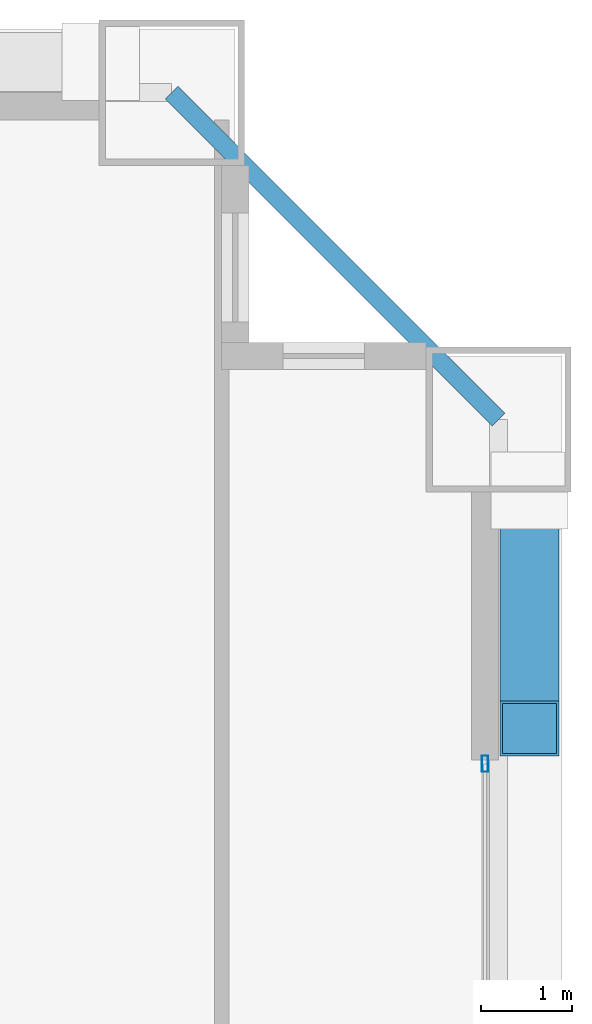
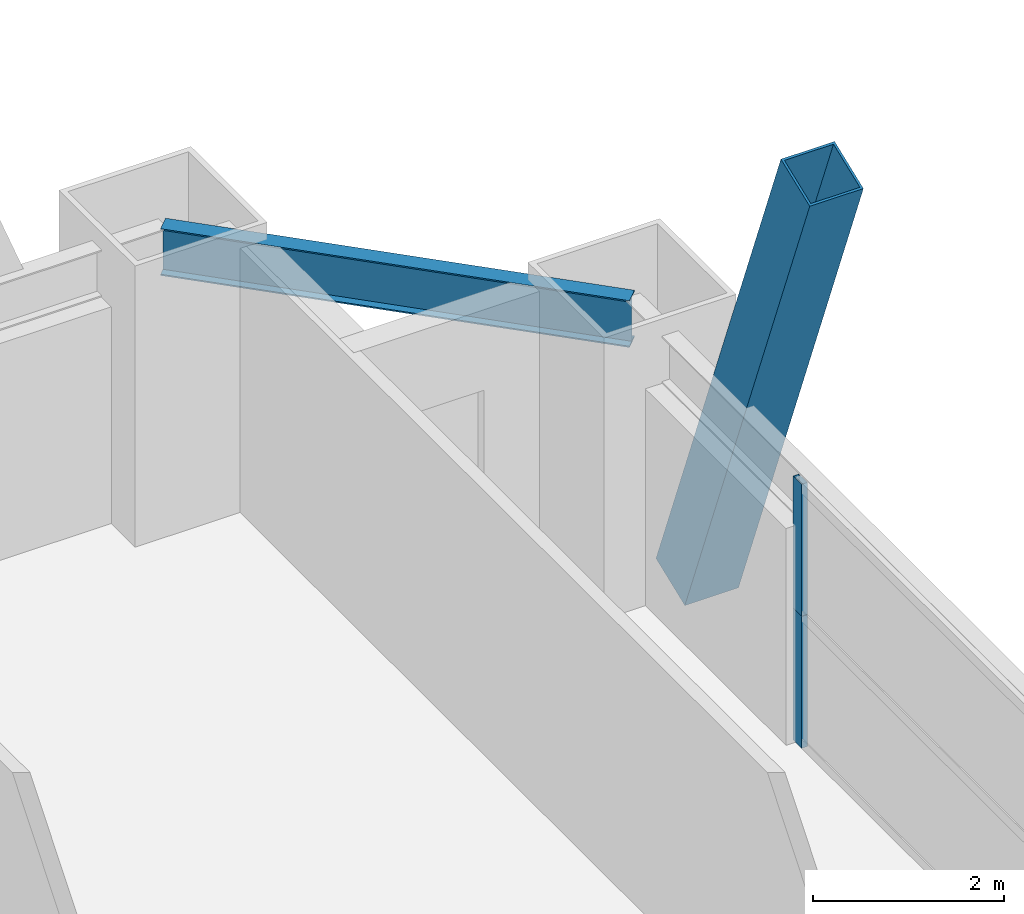
# One storey, part 32 of 41: 3 members, 1 beam, 1 element without a shape of its own.
"""IFC4 building model written with IfcOpenShell, lengths in metres."""

from ifc_helpers import new_model, si_unit, direction, frame, origin, origin_2d, place, context, subcontext, project, spatial, hollow_rectangle, i_section, extrude, source, transform, mapped, material, layer, layer_set, material_profile, profile_set, type_object, element, aggregate, save


model = new_model("IFC4")

# Units and contexts
model_context = context("Model", 3, precision=1e-05, world=origin(), true_north=direction((0.0, 1.0)))
body_context = subcontext(model_context, "Body", "Model", "MODEL_VIEW")
ifc_project = project(units=[si_unit("LENGTHUNIT", "METRE"), si_unit("AREAUNIT", "SQUARE_METRE"), si_unit("VOLUMEUNIT", "CUBIC_METRE"), si_unit("PLANEANGLEUNIT", "RADIAN"), si_unit("MASSUNIT", "GRAM", prefix="KILO"), si_unit("THERMODYNAMICTEMPERATUREUNIT", "KELVIN"), si_unit("POWERUNIT", "WATT")], contexts=[model_context])

# Site, building, storey
site_placement = place(None, origin())
site = spatial("IfcSite", under=ifc_project, at=site_placement, CompositionType="ELEMENT")
building_placement = place(site_placement, origin())
building = spatial("IfcBuilding", under=site, at=building_placement, Name="Yuzanri Waterfront Tower", CompositionType="ELEMENT")
storey_placement = place(building_placement, frame((0.0, 0.0, 122.60009765625)))
storey = spatial("IfcBuildingStorey", under=building, at=storey_placement, Name="L32", CompositionType="ELEMENT", Elevation=122.60009765625)

# Beam
ifc_material_1 = material(Name="Steel Q355B", Category="steel")
ifc_material_profile_1 = material_profile(ifc_material_1, i_section(OverallWidth=0.199951171875, OverallDepth=0.60009765625, WebThickness=0.010986328125, FlangeThickness=0.01708984375, at=origin_2d()), Name="HN 600x200x11x17")
ifc_profile_set_1 = profile_set([ifc_material_profile_1], Name="Steel Q355B")
beam_type = type_object("IfcBeamType", Name="Perimeter Spandrel Q355B HN 600x200", PredefinedType="SPANDREL", material=ifc_profile_set_1)
shared_shape_1 = source(origin(), body_context, "Body", "SweptSolid", [
    extrude(i_section(OverallWidth=0.199951171875, OverallDepth=0.60009765625, WebThickness=0.010986328125, FlangeThickness=0.01708984375, at=origin_2d()), origin(), (0.0, 0.0, 1.0), 5.091064453125),
])
beam_placement = place(storey_placement, frame((60.60009765625, 45.800048828125, 3.079833984375), z_axis=(-0.707130757816, 0.707082803744, 0.0), x_axis=(-0.707082803744, -0.707130757816, 0.0)))
element("IfcBeam", 1, at=beam_placement, inside=storey, type_object=beam_type, Name="L32 Perimeter Spandrel E3-N3", PredefinedType="SPANDREL", context=body_context, shape_type="MappedRepresentation", body=[
    mapped(shared_shape_1, transform((0.0, 0.0, 0.0), scale=1.0)),
])

# Member
ifc_material_2 = material(Name="Steel Q420GJC", Category="steel")
ifc_material_profile_2 = material_profile(ifc_material_2, hollow_rectangle(XDim=0.64990234375, YDim=0.64990234375, WallThickness=0.028076171875, at=origin_2d()), Name="RHS 650x650x28")
ifc_profile_set_2 = profile_set([ifc_material_profile_2], Name="Steel Q420GJC")
member_type_1 = type_object("IfcMemberType", Name="Mega Brace Lower Q420GJC RHS 650x650x28", PredefinedType="BRACE", material=ifc_profile_set_2)
shared_shape_2 = source(origin(), body_context, "Body", "SweptSolid", [
    extrude(hollow_rectangle(XDim=0.64990234375, YDim=0.64990234375, WallThickness=0.028076171875, at=origin_2d()), origin(), (0.0, 0.0, 1.0), 7.194091796875),
])
member_1_placement = place(storey_placement, frame((60.93994140625, 45.02001953125, 0.179931640625), z_axis=(0.0, -0.36420612543, 0.931318365651), x_axis=(1.0, 0.0, 0.0)))
element("IfcMember", 2, at=member_1_placement, inside=storey, type_object=member_type_1, Name="L32-L33 Perimeter Mega-Brace E-R", PredefinedType="BRACE", context=body_context, shape_type="MappedRepresentation", body=[
    mapped(shared_shape_2, transform((0.0, 0.0, 0.0), scale=1.0)),
])

# Curtain wall, members
ifc_material_3 = material(Name="Anodized Architectural Bronze", Category="metal")
ifc_layer = layer(ifc_material_3, 0.159912109375)
ifc_layer_set = layer_set([ifc_layer], Name="Anodized Architectural Bronze")
curtain_wall_type = type_object("IfcCurtainWallType", Name="Anodized Bronze Hotel Upper-Tier Solar-Control Unitized Curtain Wall 7800", PredefinedType="NOTDEFINED", material=ifc_layer_set)
curtain_wall_placement = place(storey_placement, origin())
curtain_wall = element("IfcCurtainWall", 3, at=curtain_wall_placement, inside=storey, type_object=curtain_wall_type, Name="L32 Curtain Wall CW-L32-ER", PredefinedType="NOTDEFINED")
ifc_material_4 = material(Name="Anodized Architectural Bronze", Category="metal")
ifc_material_profile_3 = material_profile(ifc_material_4, hollow_rectangle(XDim=0.070068359375, YDim=0.179931640625, WallThickness=0.00390625, at=origin_2d()), Name="CWM 70x180")
ifc_profile_set_3 = profile_set([ifc_material_profile_3], Name="Anodized Architectural Bronze")
member_type_2 = type_object("IfcMemberType", Name="Anodized Bronze Standard Curtain-Wall Mullion 70x180", PredefinedType="MULLION", material=ifc_profile_set_3)
shared_shape_3 = source(origin(), body_context, "Body", "SweptSolid", [
    extrude(hollow_rectangle(XDim=0.070068359375, YDim=0.179931640625, WallThickness=0.00390625, at=origin_2d()), origin(), (0.0, 0.0, 1.0), 1.68798828125),
])
member_2_placement = place(storey_placement, frame((60.449951171875, 42.010009765625, 0.0), z_axis=(0.0, 0.0, 1.0), x_axis=(1.0, 0.0, 0.0)))
member_2 = element("IfcMember", 4, at=member_2_placement, type_object=member_type_2, Name="CW-L32-ER Lower Mullion 02", PredefinedType="MULLION", context=body_context, shape_type="MappedRepresentation", body=[
    mapped(shared_shape_3, transform((0.0, 0.0, 0.0), scale=1.0)),
])
member_3_placement = place(storey_placement, frame((60.449951171875, 42.010009765625, 1.69189453125), z_axis=(0.0, 0.0, 1.0), x_axis=(1.0, 0.0, 0.0)))
member_3 = element("IfcMember", 5, at=member_3_placement, type_object=member_type_2, Name="CW-L32-ER Upper Mullion 02", PredefinedType="MULLION", context=body_context, shape_type="MappedRepresentation", body=[
    mapped(shared_shape_3, transform((0.0, 0.0, 0.0), scale=1.0)),
])
aggregate(curtain_wall, [member_2, member_3])

save(model, "model.ifc")
